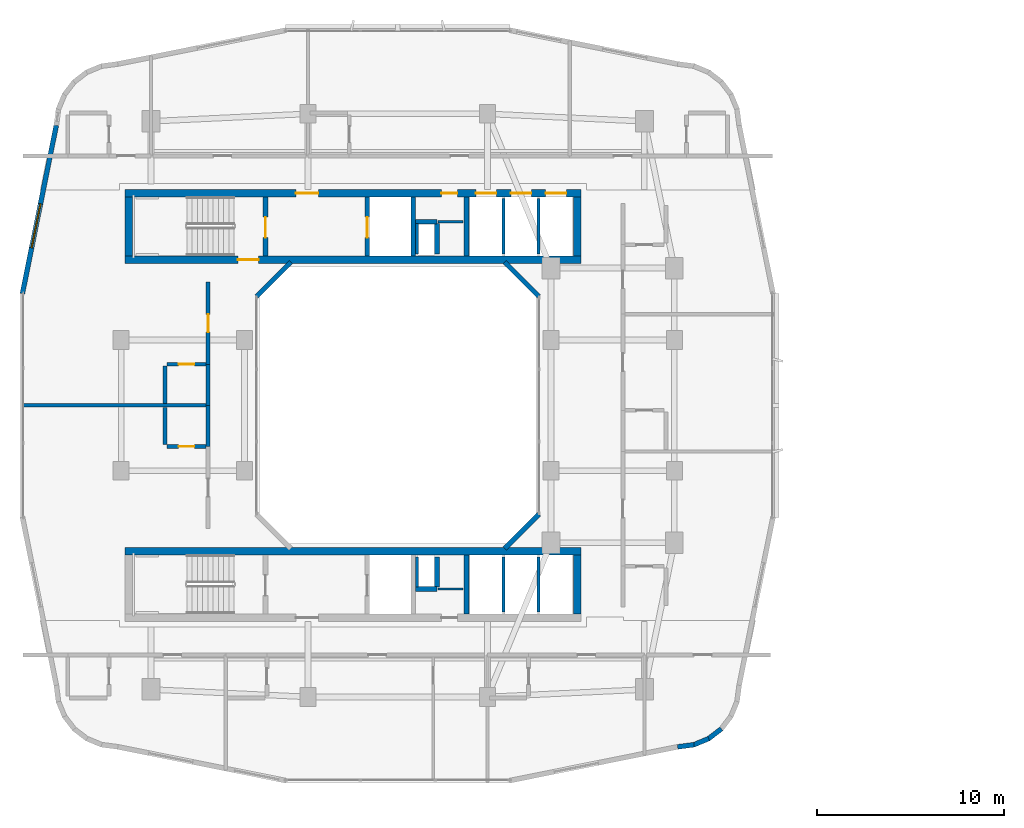
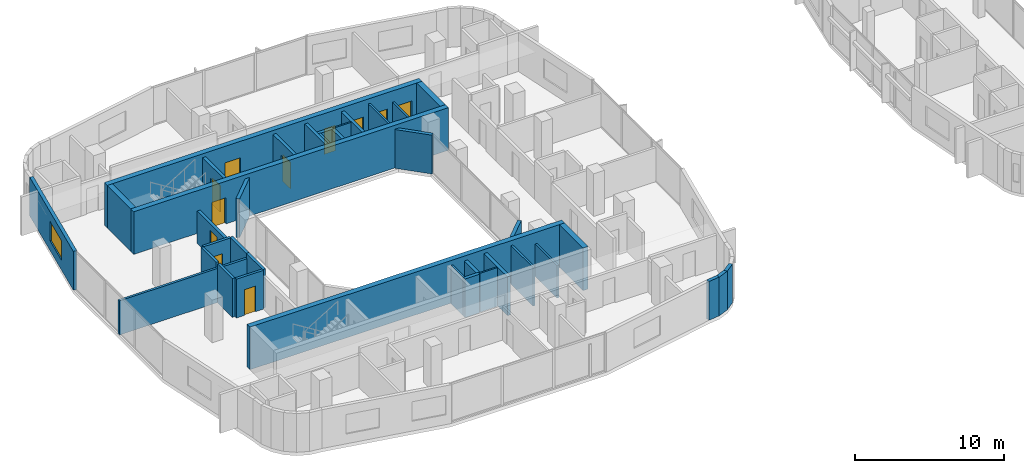
# One storey, part 13 of 26: 38 walls, 11 doors, 1 window, 12 openings.
"""IFC4 building model written with IfcOpenShell, lengths in metres."""

from ifc_helpers import new_model, si_unit, derived_unit, direction, frame, frame_2d, origin, place, context, subcontext, project, spatial, rectangle, extrude, material, layer, layer_set, type_object, element, fill, save


model = new_model("IFC4")

# Units and contexts
model_context = context("Model", 3, precision=1e-05, world=origin(), true_north=direction((0.0, 1.0)))
body_context = subcontext(model_context, "Body", "Model", "MODEL_VIEW")
ifc_project = project(units=[si_unit("LENGTHUNIT", "METRE"), si_unit("AREAUNIT", "SQUARE_METRE"), si_unit("VOLUMEUNIT", "CUBIC_METRE"), si_unit("PLANEANGLEUNIT", "RADIAN"), si_unit("MASSUNIT", "GRAM", prefix="KILO"), derived_unit("THERMALTRANSMITTANCEUNIT", [(si_unit("POWERUNIT", "WATT"), 1), (si_unit("LENGTHUNIT", "METRE"), -2), (si_unit("THERMODYNAMICTEMPERATUREUNIT", "KELVIN"), -1)])], contexts=[model_context])

# Site, building, storey
site_placement = place(None, origin())
site = spatial("IfcSite", under=ifc_project, at=site_placement, CompositionType="ELEMENT")
building_placement = place(site_placement, origin())
building = spatial("IfcBuilding", under=site, at=building_placement, Name="Kivonza Crest Hotel", CompositionType="ELEMENT")
storey_placement = place(building_placement, frame((0.0, 0.0, 116.0)))
storey = spatial("IfcBuildingStorey", under=building, at=storey_placement, Name="L31", CompositionType="ELEMENT", Elevation=116.0)

# Walls
ifc_material_1 = material(Name="High-density acoustic masonry inter-tenancy wall", Category="masonry")
ifc_layer_1 = layer(ifc_material_1, 0.179931640625)
ifc_layer_set_1 = layer_set([ifc_layer_1], Name="High-density acoustic masonry inter-tenancy wall")
wall_type_1 = type_object("IfcWallType", Name="WL-ACOU-180", PredefinedType="SOLIDWALL", material=ifc_layer_set_1)
wall_1_placement = place(storey_placement, frame((0.860107421875, 25.0, 0.0), z_axis=(0.0, 0.0, 1.0), x_axis=(1.0, 0.0, 0.0)))
element("IfcWall", 1, at=wall_1_placement, inside=storey, type_object=wall_type_1, Name="L31 interior partition WA-L31-T1W-DIV1", PredefinedType="SOLIDWALL", context=body_context, shape_type="SweptSolid", body=[
    extrude(rectangle(XDim=9.989990234375, YDim=0.179931640625, at=frame_2d((4.9951171875, 0.0))), origin(), (0.0, 0.0, 1.0), 2.794921875),
])
ifc_material_2 = material(Name="Autoclaved aerated concrete blockwork", Category="masonry")
ifc_layer_2 = layer(ifc_material_2, 0.219970703125)
ifc_layer_set_2 = layer_set([ifc_layer_2], Name="Autoclaved aerated concrete blockwork")
wall_type_2 = type_object("IfcWallType", Name="WL-ACOU-220", PredefinedType="SOLIDWALL", material=ifc_layer_set_2)
for number, where, z_axis, x_axis, name in (
    (2, (10.85009765625, 22.800048828125, 0.0), (0.0, 0.0, 1.0), (0.0, 1.0, 0.0), "L31 interior partition WA-L31-W07-BCORR"),
    (3, (10.85009765625, 25.0, 0.0), (0.0, 0.0, 1.0), (0.0, 1.0, 0.0), "L31 interior partition WA-L31-W08-BCORR"),
):
    element("IfcWall", number, at=place(storey_placement, frame(where, z_axis=z_axis, x_axis=x_axis)), inside=storey, type_object=wall_type_2, Name=name, PredefinedType="SOLIDWALL", context=body_context, shape_type="SweptSolid", body=[
        extrude(rectangle(XDim=2.199951171875, YDim=0.219970703125, at=frame_2d((1.10009765625, 0.0))), origin(), (0.0, 0.0, 1.0), 3.179931640625),
    ])

# Wall, opening, door
wall_2_placement = place(storey_placement, frame((10.85009765625, 27.199951171875, 0.0), z_axis=(0.0, 0.0, 1.0), x_axis=(0.0, 1.0, 0.0)))
wall_2 = element("IfcWall", 4, at=wall_2_placement, inside=storey, type_object=wall_type_2, Name="L31 interior partition WA-L31-W08-MCORR", PredefinedType="SOLIDWALL", context=body_context, shape_type="SweptSolid", body=[
    extrude(rectangle(XDim=4.400146484375, YDim=0.219970703125, at=frame_2d((2.2001953125, 0.0))), origin(), (0.0, 0.0, 1.0), 2.655029296875),
])
opening_1_placement = place(wall_2_placement, frame((1.72509765625, 0.0, 0.0)))
opening_1 = element("IfcOpeningElement", 5, at=opening_1_placement, cuts=wall_2, Name="Opening DU-60", PredefinedType="OPENING", context=body_context, shape_type="SweptSolid", body=[
    extrude(rectangle(XDim=0.949951171875, YDim=2.10009765625, at=frame_2d((0.47509765625, 1.050048828125))), frame((0.0, 0.1201171875, 0.0), z_axis=(0.0, -1.0, 0.0), x_axis=(1.0, 0.0, 0.0)), (0.0, 0.0, 1.0), 0.239990234375),
])
ifc_material_3 = material(Name="Hardwood timber oak", Category="wood")
door_type_1 = type_object("IfcDoorType", Name="DR-UNIT-950", OperationType="NOTDEFINED", PredefinedType="DOOR", material=ifc_material_3)
door_1_placement = place(opening_1_placement, origin())
door_1 = element("IfcDoor", 6, at=door_1_placement, inside=storey, type_object=door_type_1, Name="L31 W08 guest unit entrance fire door", OperationType="SINGLE_SWING_RIGHT", OverallHeight=2.10009765625, OverallWidth=0.949951171875, PredefinedType="DOOR", context=body_context, shape_type="SweptSolid", body=[
    extrude(rectangle(XDim=0.949951171875, YDim=2.10009765625, at=frame_2d((0.47509765625, 1.050048828125))), frame((0.0, 0.02490234375, 0.0), z_axis=(0.0, -1.0, 0.0), x_axis=(1.0, 0.0, 0.0)), (0.0, 0.0, 1.0), 0.050048828125),
])
fill(opening_1, door_1)

ifc_material_4 = material(Name="Concrete C50/60", Category="concrete")
ifc_layer_3 = layer(ifc_material_4, 0.39990234375)
ifc_layer_set_3 = layer_set([ifc_layer_3], Name="Concrete C50/60")
wall_type_3 = type_object("IfcWallType", Name="WL-CORE-400", PredefinedType="SHEAR", material=ifc_layer_set_3)
wall_3_placement = place(storey_placement, frame((6.39990234375, 32.800048828125, 0.0), z_axis=(0.0, 0.0, 1.0), x_axis=(1.0, 0.0, 0.0)))
wall_3 = element("IfcWall", 7, at=wall_3_placement, inside=storey, type_object=wall_type_3, Name="Core wall T1-N South L31", PredefinedType="SHEAR", context=body_context, shape_type="SweptSolid", body=[
    extrude(rectangle(XDim=24.400146484375, YDim=0.39990234375, at=frame_2d((12.2001953125, 0.0))), origin(), (0.0, 0.0, 1.0), 3.5),
])
opening_2_placement = place(wall_3_placement, frame((6.050048828125, 0.0, 0.0)))
opening_2 = element("IfcOpeningElement", 8, at=opening_2_placement, cuts=wall_3, Name="Opening DF-120", PredefinedType="OPENING", context=body_context, shape_type="SweptSolid", body=[
    extrude(rectangle(XDim=1.10009765625, YDim=2.14990234375, at=frame_2d((0.550048828125, 1.074951171875))), frame((0.0, 0.2099609375, 0.0), z_axis=(0.0, -1.0, 0.0), x_axis=(1.0, 0.0, 0.0)), (0.0, 0.0, 1.0), 0.419921875),
])
ifc_material_5 = material(Name="Galvanised steel", Category="steel")
door_type_2 = type_object("IfcDoorType", Name="DR-FD120-1100", OperationType="NOTDEFINED", PredefinedType="DOOR", material=ifc_material_5)
door_2_placement = place(opening_2_placement, origin())
door_2 = element("IfcDoor", 9, at=door_2_placement, inside=storey, type_object=door_type_2, Name="L31 West corridor stair access fire door", OperationType="SINGLE_SWING_LEFT", OverallHeight=2.14990234375, OverallWidth=1.10009765625, PredefinedType="DOOR", context=body_context, shape_type="SweptSolid", body=[
    extrude(rectangle(XDim=1.10009765625, YDim=2.14990234375, at=frame_2d((0.550048828125, 1.074951171875))), frame((0.0, 0.02490234375, 0.0), z_axis=(0.0, -1.0, 0.0), x_axis=(1.0, 0.0, 0.0)), (0.0, 0.0, 1.0), 0.050048828125),
])
fill(opening_2, door_2)

# Wall, openings, doors
wall_4_placement = place(storey_placement, frame((6.39990234375, 36.360107421875, 0.0), z_axis=(0.0, 0.0, 1.0), x_axis=(1.0, 0.0, 0.0)))
wall_4 = element("IfcWall", 10, at=wall_4_placement, inside=storey, type_object=wall_type_3, Name="Core wall T1-N North L31", PredefinedType="SHEAR", context=body_context, shape_type="SweptSolid", body=[
    extrude(rectangle(XDim=24.400146484375, YDim=0.39990234375, at=frame_2d((12.2001953125, 0.0))), origin(), (0.0, 0.0, 1.0), 3.5),
])
opening_3_placement = place(wall_4_placement, frame((9.14990234375, 0.0, 0.0)))
opening_3 = element("IfcOpeningElement", 11, at=opening_3_placement, cuts=wall_4, Name="Opening DF-60", PredefinedType="OPENING", context=body_context, shape_type="SweptSolid", body=[
    extrude(rectangle(XDim=1.199951171875, YDim=2.14990234375, at=frame_2d((0.60009765625, 1.074951171875))), frame((0.0, 0.2099609375, 0.0), z_axis=(0.0, -1.0, 0.0), x_axis=(1.0, 0.0, 0.0)), (0.0, 0.0, 1.0), 0.419921875),
])
opening_4_placement = place(wall_4_placement, frame((16.93994140625, 0.0, 0.0)))
opening_4 = element("IfcOpeningElement", 12, at=opening_4_placement, cuts=wall_4, Name="Opening DF-60R", PredefinedType="OPENING", context=body_context, shape_type="SweptSolid", body=[
    extrude(rectangle(XDim=0.85009765625, YDim=2.10009765625, at=frame_2d((0.425048828125, 1.050048828125))), frame((0.0, 0.2099609375, 0.0), z_axis=(0.0, -1.0, 0.0), x_axis=(1.0, 0.0, 0.0)), (0.0, 0.0, 1.0), 0.419921875),
])
opening_5_placement = place(wall_4_placement, frame((18.782958984375, 0.0, 0.0)))
opening_5 = element("IfcOpeningElement", 13, at=opening_5_placement, cuts=wall_4, Name="Opening LD-120", PredefinedType="OPENING", context=body_context, shape_type="SweptSolid", body=[
    extrude(rectangle(XDim=1.10009765625, YDim=2.14990234375, at=frame_2d((0.550048828125, 1.074951171875))), frame((0.0, 0.2099609375, 0.0), z_axis=(0.0, -1.0, 0.0), x_axis=(1.0, 0.0, 0.0)), (0.0, 0.0, 1.0), 0.419921875),
])
opening_6_placement = place(wall_4_placement, frame((20.64990234375, 0.0, 0.0)))
opening_6 = element("IfcOpeningElement", 14, at=opening_6_placement, cuts=wall_4, Name="Opening LD-120", PredefinedType="OPENING", context=body_context, shape_type="SweptSolid", body=[
    extrude(rectangle(XDim=1.10009765625, YDim=2.14990234375, at=frame_2d((0.550048828125, 1.074951171875))), frame((0.0, 0.2099609375, 0.0), z_axis=(0.0, -1.0, 0.0), x_axis=(1.0, 0.0, 0.0)), (0.0, 0.0, 1.0), 0.419921875),
])
opening_7_placement = place(wall_4_placement, frame((22.51708984375, 0.0, 0.0)))
opening_7 = element("IfcOpeningElement", 15, at=opening_7_placement, cuts=wall_4, Name="Opening LD-120", PredefinedType="OPENING", context=body_context, shape_type="SweptSolid", body=[
    extrude(rectangle(XDim=1.10009765625, YDim=2.14990234375, at=frame_2d((0.550048828125, 1.074951171875))), frame((0.0, 0.2099609375, 0.0), z_axis=(0.0, -1.0, 0.0), x_axis=(1.0, 0.0, 0.0)), (0.0, 0.0, 1.0), 0.419921875),
])
door_type_3 = type_object("IfcDoorType", Name="DR-FD60-1200", OperationType="NOTDEFINED", PredefinedType="DOOR", material=ifc_material_3)
door_3_placement = place(opening_3_placement, origin())
door_3 = element("IfcDoor", 16, at=door_3_placement, inside=storey, type_object=door_type_3, Name="L31 T1-N firefighting lobby fire door", OperationType="SINGLE_SWING_RIGHT", OverallHeight=2.14990234375, OverallWidth=1.199951171875, PredefinedType="DOOR", context=body_context, shape_type="SweptSolid", body=[
    extrude(rectangle(XDim=1.199951171875, YDim=2.14990234375, at=frame_2d((0.60009765625, 1.074951171875))), frame((0.0, 0.02490234375, 0.0), z_axis=(0.0, -1.0, 0.0), x_axis=(1.0, 0.0, 0.0)), (0.0, 0.0, 1.0), 0.050048828125),
])
fill(opening_3, door_3)
door_type_4 = type_object("IfcDoorType", Name="DR-FD60-850", OperationType="NOTDEFINED", PredefinedType="DOOR", material=ifc_material_3)
door_4_placement = place(opening_4_placement, origin())
door_4 = element("IfcDoor", 17, at=door_4_placement, inside=storey, type_object=door_type_4, Name="L31 T1-N core room door", OperationType="SINGLE_SWING_RIGHT", OverallHeight=2.10009765625, OverallWidth=0.85009765625, PredefinedType="DOOR", context=body_context, shape_type="SweptSolid", body=[
    extrude(rectangle(XDim=0.85009765625, YDim=2.10009765625, at=frame_2d((0.425048828125, 1.050048828125))), frame((0.0, 0.02490234375, 0.0), z_axis=(0.0, -1.0, 0.0), x_axis=(1.0, 0.0, 0.0)), (0.0, 0.0, 1.0), 0.050048828125),
])
fill(opening_4, door_4)
ifc_material_6 = material(Name="Stainless steel", Category="steel")
door_type_5 = type_object("IfcDoorType", Name="DR-LD120-1100", OperationType="NOTDEFINED", PredefinedType="DOOR", material=ifc_material_6)
door_5_placement = place(opening_5_placement, origin())
door_5 = element("IfcDoor", 18, at=door_5_placement, inside=storey, type_object=door_type_5, Name="L31 PL-T1-L1 passenger lift sliding landing door", OperationType="DOUBLE_DOOR_SLIDING", OverallHeight=2.14990234375, OverallWidth=1.10009765625, PredefinedType="DOOR", context=body_context, shape_type="SweptSolid", body=[
    extrude(rectangle(XDim=1.10009765625, YDim=2.14990234375, at=frame_2d((0.550048828125, 1.074951171875))), frame((0.0, 0.02490234375, 0.0), z_axis=(0.0, -1.0, 0.0), x_axis=(1.0, 0.0, 0.0)), (0.0, 0.0, 1.0), 0.050048828125),
])
fill(opening_5, door_5)
door_6_placement = place(opening_6_placement, origin())
door_6 = element("IfcDoor", 19, at=door_6_placement, inside=storey, type_object=door_type_5, Name="L31 PL-T1-L2 passenger lift sliding landing door", OperationType="DOUBLE_DOOR_SLIDING", OverallHeight=2.14990234375, OverallWidth=1.10009765625, PredefinedType="DOOR", context=body_context, shape_type="SweptSolid", body=[
    extrude(rectangle(XDim=1.10009765625, YDim=2.14990234375, at=frame_2d((0.550048828125, 1.074951171875))), frame((0.0, 0.02490234375, 0.0), z_axis=(0.0, -1.0, 0.0), x_axis=(1.0, 0.0, 0.0)), (0.0, 0.0, 1.0), 0.050048828125),
])
fill(opening_6, door_6)
door_7_placement = place(opening_7_placement, origin())
door_7 = element("IfcDoor", 20, at=door_7_placement, inside=storey, type_object=door_type_5, Name="L31 PL-T1-L3 passenger lift sliding landing door", OperationType="DOUBLE_DOOR_SLIDING", OverallHeight=2.14990234375, OverallWidth=1.10009765625, PredefinedType="DOOR", context=body_context, shape_type="SweptSolid", body=[
    extrude(rectangle(XDim=1.10009765625, YDim=2.14990234375, at=frame_2d((0.550048828125, 1.074951171875))), frame((0.0, 0.02490234375, 0.0), z_axis=(0.0, -1.0, 0.0), x_axis=(1.0, 0.0, 0.0)), (0.0, 0.0, 1.0), 0.050048828125),
])
fill(opening_7, door_7)

# Walls
for number, where, z_axis, x_axis, name in (
    (21, (6.60009765625, 33.0, 0.0), (0.0, 0.0, 1.0), (0.0, 1.0, 0.0), "Core wall T1-N West L31"),
    (22, (30.60009765625, 33.0, 0.0), (0.0, 0.0, 1.0), (0.0, 1.0, 0.0), "Core wall T1-N East L31"),
):
    element("IfcWall", number, at=place(storey_placement, frame(where, z_axis=z_axis, x_axis=x_axis)), inside=storey, type_object=wall_type_3, Name=name, PredefinedType="SHEAR", context=body_context, shape_type="SweptSolid", body=[
        extrude(rectangle(XDim=3.159912109375, YDim=0.39990234375, at=frame_2d((1.580078125, 0.0))), origin(), (0.0, 0.0, 1.0), 3.5),
    ])
wall_5_placement = place(storey_placement, frame((6.39990234375, 17.199951171875, 0.0), z_axis=(0.0, 0.0, 1.0), x_axis=(1.0, 0.0, 0.0)))
element("IfcWall", 23, at=wall_5_placement, inside=storey, type_object=wall_type_3, Name="Core wall T1-S North L31", PredefinedType="SHEAR", context=body_context, shape_type="SweptSolid", body=[
    extrude(rectangle(XDim=24.400146484375, YDim=0.39990234375, at=frame_2d((12.2001953125, 0.0))), origin(), (0.0, 0.0, 1.0), 3.5),
])
wall_6_placement = place(storey_placement, frame((30.60009765625, 13.840087890625, 0.0), z_axis=(0.0, 0.0, 1.0), x_axis=(0.0, 1.0, 0.0)))
element("IfcWall", 24, at=wall_6_placement, inside=storey, type_object=wall_type_3, Name="Core wall T1-S East L31", PredefinedType="SHEAR", context=body_context, shape_type="SweptSolid", body=[
    extrude(rectangle(XDim=3.159912109375, YDim=0.39990234375, at=frame_2d((1.580078125, 0.0))), origin(), (0.0, 0.0, 1.0), 3.5),
])
ifc_material_7 = material(Name="Precast concrete C40/50", Category="concrete")
ifc_layer_4 = layer(ifc_material_7, 0.260009765625)
ifc_layer_set_4 = layer_set([ifc_layer_4], Name="Precast concrete C40/50")
wall_type_4 = type_object("IfcWallType", Name="WL-EXT-260", PredefinedType="STANDARD", material=ifc_layer_set_4)
wall_7_placement = place(storey_placement, frame((35.97509765625, 6.72802734375, 0.0), z_axis=(0.0, 0.0, 1.0), x_axis=(0.991388484223, 0.130953706898, 0.0)))
element("IfcWall", 25, at=wall_7_placement, inside=storey, type_object=wall_type_4, Name="L31 T1 exterior insulated wall 10", PredefinedType="STANDARD", context=body_context, shape_type="SweptSolid", body=[
    extrude(rectangle(XDim=0.885498046875, YDim=0.260009765625, at=frame_2d((0.44287109375, 0.0))), origin(), (0.0, 0.0, 1.0), 3.179931640625),
])
wall_8_placement = place(storey_placement, frame((36.806884765625, 6.825927734375, 0.0), z_axis=(0.0, 0.0, 1.0), x_axis=(0.923627776508, 0.383290660547, 0.0)))
element("IfcWall", 26, at=wall_8_placement, inside=storey, type_object=wall_type_4, Name="L31 T1 exterior insulated wall 11", PredefinedType="STANDARD", context=body_context, shape_type="SweptSolid", body=[
    extrude(rectangle(XDim=0.9033203125, YDim=0.260009765625, at=frame_2d((0.45166015625, 0.0))), origin(), (0.0, 0.0, 1.0), 3.179931640625),
])
wall_9_placement = place(storey_placement, frame((37.60107421875, 7.14404296875, 0.0), z_axis=(0.0, 0.0, 1.0), x_axis=(0.793458244748, 0.608624690463, 0.0)))
element("IfcWall", 27, at=wall_9_placement, inside=storey, type_object=wall_type_4, Name="L31 T1 exterior insulated wall 12", PredefinedType="STANDARD", context=body_context, shape_type="SweptSolid", body=[
    extrude(rectangle(XDim=0.902099609375, YDim=0.260009765625, at=frame_2d((0.451171875, 0.0))), origin(), (0.0, 0.0, 1.0), 3.179931640625),
])

# Wall, opening, window
wall_10_placement = place(storey_placement, frame((2.72900390625, 39.98193359375, 0.0), z_axis=(0.0, 0.0, 1.0), x_axis=(-0.197435082048, -0.980315963543, 0.0)))
wall_10 = element("IfcWall", 28, at=wall_10_placement, inside=storey, type_object=wall_type_4, Name="L31 T1 exterior insulated wall 34", PredefinedType="STANDARD", context=body_context, shape_type="SweptSolid", body=[
    extrude(rectangle(XDim=9.1826171875, YDim=0.260009765625, at=frame_2d((4.59130859375, 0.0))), origin(), (0.0, 0.0, 1.0), 3.179931640625),
])
opening_8_placement = place(wall_10_placement, frame((4.285888671875, 0.0, 0.800048828125)))
opening_8 = element("IfcOpeningElement", 29, at=opening_8_placement, cuts=wall_10, Name="Opening WN-05", PredefinedType="OPENING", context=body_context, shape_type="SweptSolid", body=[
    extrude(rectangle(XDim=2.39990234375, YDim=1.60009765625, at=frame_2d((1.199951171875, 0.800048828125))), frame((0.0, 0.14013671875, 0.0), z_axis=(0.0, -1.0, 0.0), x_axis=(1.0, 0.0, 0.0)), (0.0, 0.0, 1.0), 0.280029296875),
])
ifc_material_8 = material(Name="Thermally broken bronze aluminium and low-E double glazing", Category="aluminium")
window_type = type_object("IfcWindowType", Name="WN-240x160", PartitioningType="TRIPLE_PANEL_VERTICAL", PredefinedType="WINDOW", material=ifc_material_8)
window_placement = place(opening_8_placement, origin())
window = element("IfcWindow", 30, at=window_placement, inside=storey, type_object=window_type, Name="L31 T1 facade window 34", OverallHeight=1.60009765625, OverallWidth=2.39990234375, PartitioningType="SINGLE_PANEL", PredefinedType="WINDOW", context=body_context, shape_type="SweptSolid", body=[
    extrude(rectangle(XDim=2.39990234375, YDim=1.60009765625, at=frame_2d((1.199951171875, 0.800048828125))), frame((0.0, 0.030029296875, 0.0), z_axis=(0.0, -1.0, 0.0), x_axis=(1.0, 0.0, 0.0)), (0.0, 0.0, 1.0), 0.06005859375),
])
fill(opening_8, window)

# Walls
for number, where, z_axis, x_axis, name in (
    (31, (26.721923828125, 17.337890625, 0.0), (0.0, 0.0, 1.0), (0.707059717605, 0.707153841636, 0.0), "L31 T1 light-well exterior wall 2"),
    (32, (28.555908203125, 30.827880859375, 0.0), (0.0, 0.0, 1.0), (-0.707059717605, 0.707153841636, 0.0), "L31 T1 light-well exterior wall 4"),
    (33, (15.278076171875, 32.662109375, 0.0), (0.0, 0.0, 1.0), (-0.707059717605, -0.707153841636, 0.0), "L31 T1 light-well exterior wall 6"),
):
    element("IfcWall", number, at=place(storey_placement, frame(where, z_axis=z_axis, x_axis=x_axis)), inside=storey, type_object=wall_type_4, Name=name, PredefinedType="STANDARD", context=body_context, shape_type="SweptSolid", body=[
        extrude(rectangle(XDim=2.59375, YDim=0.260009765625, at=frame_2d((1.296875, 0.0))), origin(), (0.0, 0.0, 1.0), 3.179931640625),
    ])
ifc_material_9 = material(Name="Concrete blockwork fire-compartment wall", Category="masonry")
ifc_layer_5 = layer(ifc_material_9, 0.25)
ifc_layer_set_5 = layer_set([ifc_layer_5], Name="Concrete blockwork fire-compartment wall")
wall_type_5 = type_object("IfcWallType", Name="WL-FIRE-250", PredefinedType="SOLIDWALL", material=ifc_layer_set_5)
wall_11_placement = place(storey_placement, frame((23.10009765625, 33.10009765625, 0.0), z_axis=(0.0, 0.0, 1.0), x_axis=(0.0, 1.0, 0.0)))
element("IfcWall", 34, at=wall_11_placement, inside=storey, type_object=wall_type_5, Name="L31 interior partition WA-L31-T1-N-MEPR-E", PredefinedType="SOLIDWALL", context=body_context, shape_type="SweptSolid", body=[
    extrude(rectangle(XDim=1.619873046875, YDim=0.25, at=frame_2d((0.81005859375, 0.0))), origin(), (0.0, 0.0, 1.0), 3.179931640625),
])
wall_12_placement = place(storey_placement, frame((21.949951171875, 34.820068359375, 0.0), z_axis=(0.0, 0.0, 1.0), x_axis=(1.0, 0.0, 0.0)))
element("IfcWall", 35, at=wall_12_placement, inside=storey, type_object=wall_type_5, Name="L31 interior partition WA-L31-T1-N-MEPR-H", PredefinedType="SOLIDWALL", context=body_context, shape_type="SweptSolid", body=[
    extrude(rectangle(XDim=1.150146484375, YDim=0.25, at=frame_2d((0.5751953125, 0.0))), origin(), (0.0, 0.0, 1.0), 3.179931640625),
])
wall_13_placement = place(storey_placement, frame((23.10009765625, 15.280029296875, 0.0), z_axis=(0.0, 0.0, 1.0), x_axis=(0.0, 1.0, 0.0)))
element("IfcWall", 36, at=wall_13_placement, inside=storey, type_object=wall_type_5, Name="L31 interior partition WA-L31-T1-S-MEPR-E", PredefinedType="SOLIDWALL", context=body_context, shape_type="SweptSolid", body=[
    extrude(rectangle(XDim=1.619873046875, YDim=0.25, at=frame_2d((0.81005859375, 0.0))), origin(), (0.0, 0.0, 1.0), 3.179931640625),
])
wall_14_placement = place(storey_placement, frame((21.949951171875, 15.179931640625, 0.0), z_axis=(0.0, 0.0, 1.0), x_axis=(1.0, 0.0, 0.0)))
element("IfcWall", 37, at=wall_14_placement, inside=storey, type_object=wall_type_5, Name="L31 interior partition WA-L31-T1-S-MEPR-H", PredefinedType="SOLIDWALL", context=body_context, shape_type="SweptSolid", body=[
    extrude(rectangle(XDim=1.150146484375, YDim=0.25, at=frame_2d((0.5751953125, 0.0))), origin(), (0.0, 0.0, 1.0), 3.179931640625),
])
ifc_material_10 = material(Name="Metal-stud gypsum board partition", Category="gypsum")
ifc_layer_6 = layer(ifc_material_10, 0.125)
ifc_layer_set_6 = layer_set([ifc_layer_6], Name="Metal-stud gypsum board partition")
wall_type_6 = type_object("IfcWallType", Name="WL-PART-125", PredefinedType="PARTITIONING", material=ifc_layer_set_6)
for number, where, z_axis, x_axis, name in (
    (38, (23.14990234375, 34.820068359375, 0.0), (0.0, 0.0, 1.0), (1.0, 0.0, 0.0), "L31 interior partition WP-L31-T1-N-SV2H"),
    (39, (23.14990234375, 15.179931640625, 0.0), (0.0, 0.0, 1.0), (1.0, 0.0, 0.0), "L31 interior partition WP-L31-T1-S-SV2H"),
):
    element("IfcWall", number, at=place(storey_placement, frame(where, z_axis=z_axis, x_axis=x_axis)), inside=storey, type_object=wall_type_6, Name=name, PredefinedType="PARTITIONING", context=body_context, shape_type="SweptSolid", body=[
        extrude(rectangle(XDim=1.35009765625, YDim=0.125, at=frame_2d((0.675048828125, 0.0))), origin(), (0.0, 0.0, 1.0), 3.179931640625),
    ])
ifc_material_11 = material(Name="Twin-stud acoustic gypsum board partition", Category="gypsum")
ifc_layer_7 = layer(ifc_material_11, 0.14990234375)
ifc_layer_set_7 = layer_set([ifc_layer_7], Name="Twin-stud acoustic gypsum board partition")
wall_type_7 = type_object("IfcWallType", Name="WL-PART-150", PredefinedType="PARTITIONING", material=ifc_layer_set_7)
wall_15_placement = place(storey_placement, frame((22.030029296875, 33.10009765625, 0.0), z_axis=(0.0, 0.0, 1.0), x_axis=(0.0, 1.0, 0.0)))
element("IfcWall", 40, at=wall_15_placement, inside=storey, type_object=wall_type_7, Name="L31 interior partition WA-L31-T1-N-MEPR-W", PredefinedType="PARTITIONING", context=body_context, shape_type="SweptSolid", body=[
    extrude(rectangle(XDim=1.619873046875, YDim=0.14990234375, at=frame_2d((0.81005859375, 0.0))), origin(), (0.0, 0.0, 1.0), 3.179931640625),
])
wall_16_placement = place(storey_placement, frame((26.6669921875, 33.10009765625, 0.0), z_axis=(0.0, 0.0, 1.0), x_axis=(0.0, 1.0, 0.0)))
element("IfcWall", 41, at=wall_16_placement, inside=storey, type_object=wall_type_7, Name="L31 interior partition WP-L31-T1-N-BSH-1", PredefinedType="PARTITIONING", context=body_context, shape_type="SweptSolid", body=[
    extrude(rectangle(XDim=2.9599609375, YDim=0.14990234375, at=frame_2d((1.47998046875, 0.0))), origin(), (0.0, 0.0, 1.0), 3.179931640625),
])
wall_17_placement = place(storey_placement, frame((28.532958984375, 33.10009765625, 0.0), z_axis=(0.0, 0.0, 1.0), x_axis=(0.0, 1.0, 0.0)))
element("IfcWall", 42, at=wall_17_placement, inside=storey, type_object=wall_type_7, Name="L31 interior partition WP-L31-T1-N-BSH-2", PredefinedType="PARTITIONING", context=body_context, shape_type="SweptSolid", body=[
    extrude(rectangle(XDim=2.9599609375, YDim=0.14990234375, at=frame_2d((1.47998046875, 0.0))), origin(), (0.0, 0.0, 1.0), 2.655029296875),
])
wall_18_placement = place(storey_placement, frame((22.030029296875, 15.280029296875, 0.0), z_axis=(0.0, 0.0, 1.0), x_axis=(0.0, 1.0, 0.0)))
element("IfcWall", 43, at=wall_18_placement, inside=storey, type_object=wall_type_7, Name="L31 interior partition WA-L31-T1-S-MEPR-W", PredefinedType="PARTITIONING", context=body_context, shape_type="SweptSolid", body=[
    extrude(rectangle(XDim=1.619873046875, YDim=0.14990234375, at=frame_2d((0.81005859375, 0.0))), origin(), (0.0, 0.0, 1.0), 3.179931640625),
])
wall_19_placement = place(storey_placement, frame((26.6669921875, 13.93994140625, 0.0), z_axis=(0.0, 0.0, 1.0), x_axis=(0.0, 1.0, 0.0)))
element("IfcWall", 44, at=wall_19_placement, inside=storey, type_object=wall_type_7, Name="L31 interior partition WP-L31-T1-S-BSH-1", PredefinedType="PARTITIONING", context=body_context, shape_type="SweptSolid", body=[
    extrude(rectangle(XDim=2.9599609375, YDim=0.14990234375, at=frame_2d((1.47998046875, 0.0))), origin(), (0.0, 0.0, 1.0), 3.179931640625),
])
wall_20_placement = place(storey_placement, frame((28.532958984375, 13.93994140625, 0.0), z_axis=(0.0, 0.0, 1.0), x_axis=(0.0, 1.0, 0.0)))
element("IfcWall", 45, at=wall_20_placement, inside=storey, type_object=wall_type_7, Name="L31 interior partition WP-L31-T1-S-BSH-2", PredefinedType="PARTITIONING", context=body_context, shape_type="SweptSolid", body=[
    extrude(rectangle(XDim=2.9599609375, YDim=0.14990234375, at=frame_2d((1.47998046875, 0.0))), origin(), (0.0, 0.0, 1.0), 2.655029296875),
])

# Wall, opening, door
ifc_material_12 = material(Name="Moisture-resistant plumbing chase partition wall", Category="gypsum")
ifc_layer_8 = layer(ifc_material_12, 0.199951171875)
ifc_layer_set_8 = layer_set([ifc_layer_8], Name="Moisture-resistant plumbing chase partition wall")
wall_type_8 = type_object("IfcWallType", Name="WL-PLUMB-200", PredefinedType="PLUMBINGWALL", material=ifc_layer_set_8)
wall_21_placement = place(storey_placement, frame((8.64990234375, 22.800048828125, 0.0), z_axis=(0.0, 0.0, 1.0), x_axis=(1.0, 0.0, 0.0)))
wall_21 = element("IfcWall", 46, at=wall_21_placement, inside=storey, type_object=wall_type_8, Name="L31 interior partition WW-L31-W07-BH", PredefinedType="PLUMBINGWALL", context=body_context, shape_type="SweptSolid", body=[
    extrude(rectangle(XDim=2.10009765625, YDim=0.199951171875, at=frame_2d((1.050048828125, 0.0))), origin(), (0.0, 0.0, 1.0), 3.179931640625),
])
opening_9_placement = place(wall_21_placement, frame((0.625, 0.0, 0.0)))
opening_9 = element("IfcOpeningElement", 47, at=opening_9_placement, cuts=wall_21, Name="Opening DI-85", PredefinedType="OPENING", context=body_context, shape_type="SweptSolid", body=[
    extrude(rectangle(XDim=0.85009765625, YDim=2.10009765625, at=frame_2d((0.425048828125, 1.050048828125))), frame((0.0, 0.10986328125, 0.0), z_axis=(0.0, -1.0, 0.0), x_axis=(1.0, 0.0, 0.0)), (0.0, 0.0, 1.0), 0.219970703125),
])
door_type_6 = type_object("IfcDoorType", Name="DR-INT-850", OperationType="NOTDEFINED", PredefinedType="DOOR", material=ifc_material_3)
door_8_placement = place(opening_9_placement, frame((0.85009765625, 0.0, 0.0), z_axis=(0.0, 0.0, 1.0), x_axis=(-1.0, 0.0, 0.0)))
door_8 = element("IfcDoor", 48, at=door_8_placement, inside=storey, type_object=door_type_6, Name="L31 W07 en-suite bathroom door", OperationType="SINGLE_SWING_RIGHT", OverallHeight=2.10009765625, OverallWidth=0.85009765625, PredefinedType="DOOR", context=body_context, shape_type="SweptSolid", body=[
    extrude(rectangle(XDim=0.85009765625, YDim=2.10009765625, at=frame_2d((0.425048828125, 1.050048828125))), frame((0.0, 0.02490234375, 0.0), z_axis=(0.0, -1.0, 0.0), x_axis=(1.0, 0.0, 0.0)), (0.0, 0.0, 1.0), 0.050048828125),
])
fill(opening_9, door_8)

# Wall
wall_22_placement = place(storey_placement, frame((8.550048828125, 22.89990234375, 0.0), z_axis=(0.0, 0.0, 1.0), x_axis=(0.0, 1.0, 0.0)))
element("IfcWall", 49, at=wall_22_placement, inside=storey, type_object=wall_type_8, Name="L31 interior partition WW-L31-W07-BV", PredefinedType="PLUMBINGWALL", context=body_context, shape_type="SweptSolid", body=[
    extrude(rectangle(XDim=2.0, YDim=0.199951171875, at=frame_2d((1.0, 0.0))), origin(), (0.0, 0.0, 1.0), 3.179931640625),
])

# Wall, opening, door
wall_23_placement = place(storey_placement, frame((8.64990234375, 27.199951171875, 0.0), z_axis=(0.0, 0.0, 1.0), x_axis=(1.0, 0.0, 0.0)))
wall_23 = element("IfcWall", 50, at=wall_23_placement, inside=storey, type_object=wall_type_8, Name="L31 interior partition WW-L31-W08-BH", PredefinedType="PLUMBINGWALL", context=body_context, shape_type="SweptSolid", body=[
    extrude(rectangle(XDim=2.10009765625, YDim=0.199951171875, at=frame_2d((1.050048828125, 0.0))), origin(), (0.0, 0.0, 1.0), 3.179931640625),
])
opening_10_placement = place(wall_23_placement, frame((0.625, 0.0, 0.0)))
opening_10 = element("IfcOpeningElement", 51, at=opening_10_placement, cuts=wall_23, Name="Opening DI-85", PredefinedType="OPENING", context=body_context, shape_type="SweptSolid", body=[
    extrude(rectangle(XDim=0.85009765625, YDim=2.10009765625, at=frame_2d((0.425048828125, 1.050048828125))), frame((0.0, 0.10986328125, 0.0), z_axis=(0.0, -1.0, 0.0), x_axis=(1.0, 0.0, 0.0)), (0.0, 0.0, 1.0), 0.219970703125),
])
door_9_placement = place(opening_10_placement, origin())
door_9 = element("IfcDoor", 52, at=door_9_placement, inside=storey, type_object=door_type_6, Name="L31 W08 en-suite bathroom door", OperationType="SINGLE_SWING_LEFT", OverallHeight=2.10009765625, OverallWidth=0.85009765625, PredefinedType="DOOR", context=body_context, shape_type="SweptSolid", body=[
    extrude(rectangle(XDim=0.85009765625, YDim=2.10009765625, at=frame_2d((0.425048828125, 1.050048828125))), frame((0.0, 0.02490234375, 0.0), z_axis=(0.0, -1.0, 0.0), x_axis=(1.0, 0.0, 0.0)), (0.0, 0.0, 1.0), 0.050048828125),
])
fill(opening_10, door_9)

# Wall
wall_24_placement = place(storey_placement, frame((8.550048828125, 25.10009765625, 0.0), z_axis=(0.0, 0.0, 1.0), x_axis=(0.0, 1.0, 0.0)))
element("IfcWall", 53, at=wall_24_placement, inside=storey, type_object=wall_type_8, Name="L31 interior partition WW-L31-W08-BV", PredefinedType="PLUMBINGWALL", context=body_context, shape_type="SweptSolid", body=[
    extrude(rectangle(XDim=2.0, YDim=0.199951171875, at=frame_2d((1.0, 0.0))), origin(), (0.0, 0.0, 1.0), 3.179931640625),
])

# Wall, opening, door
ifc_layer_9 = layer(ifc_material_4, 0.25)
ifc_layer_set_9 = layer_set([ifc_layer_9], Name="Concrete C50/60")
wall_type_9 = type_object("IfcWallType", Name="WL-SHAFT-250", PredefinedType="STANDARD", material=ifc_layer_set_9)
wall_25_placement = place(storey_placement, frame((13.925048828125, 33.0, 0.0), z_axis=(0.0, 0.0, 1.0), x_axis=(0.0, 1.0, 0.0)))
wall_25 = element("IfcWall", 54, at=wall_25_placement, inside=storey, type_object=wall_type_9, Name="Core shaft wall T1-N STAIR L31", PredefinedType="STANDARD", context=body_context, shape_type="SweptSolid", body=[
    extrude(rectangle(XDim=3.159912109375, YDim=0.25, at=frame_2d((1.580078125, 0.0))), origin(), (0.0, 0.0, 1.0), 3.179931640625),
])
opening_11_placement = place(wall_25_placement, frame((0.97998046875, 0.0, 0.0)))
opening_11 = element("IfcOpeningElement", 55, at=opening_11_placement, cuts=wall_25, Name="Opening DF-120", PredefinedType="OPENING", context=body_context, shape_type="SweptSolid", body=[
    extrude(rectangle(XDim=1.10009765625, YDim=2.14990234375, at=frame_2d((0.550048828125, 1.074951171875))), frame((0.0, 0.135009765625, 0.0), z_axis=(0.0, -1.0, 0.0), x_axis=(1.0, 0.0, 0.0)), (0.0, 0.0, 1.0), 0.27001953125),
])
door_10_placement = place(opening_11_placement, frame((1.10009765625, 0.0, 0.0), z_axis=(0.0, 0.0, 1.0), x_axis=(-1.0, 0.0, 0.0)))
door_10 = element("IfcDoor", 56, at=door_10_placement, inside=storey, type_object=door_type_2, Name="L31 T1-N stair fire door", OperationType="SINGLE_SWING_LEFT", OverallHeight=2.14990234375, OverallWidth=1.10009765625, PredefinedType="DOOR", context=body_context, shape_type="SweptSolid", body=[
    extrude(rectangle(XDim=1.10009765625, YDim=2.14990234375, at=frame_2d((0.550048828125, 1.074951171875))), frame((0.0, 0.02490234375, 0.0), z_axis=(0.0, -1.0, 0.0), x_axis=(1.0, 0.0, 0.0)), (0.0, 0.0, 1.0), 0.050048828125),
])
fill(opening_11, door_10)

wall_26_placement = place(storey_placement, frame((19.375, 33.0, 0.0), z_axis=(0.0, 0.0, 1.0), x_axis=(0.0, 1.0, 0.0)))
wall_26 = element("IfcWall", 57, at=wall_26_placement, inside=storey, type_object=wall_type_9, Name="Core shaft wall T1-N FFL-W L31", PredefinedType="STANDARD", context=body_context, shape_type="SweptSolid", body=[
    extrude(rectangle(XDim=3.159912109375, YDim=0.25, at=frame_2d((1.580078125, 0.0))), origin(), (0.0, 0.0, 1.0), 3.179931640625),
])
opening_12_placement = place(wall_26_placement, frame((0.97998046875, 0.0, 0.0)))
opening_12 = element("IfcOpeningElement", 58, at=opening_12_placement, cuts=wall_26, Name="Opening LD-120", PredefinedType="OPENING", context=body_context, shape_type="SweptSolid", body=[
    extrude(rectangle(XDim=1.10009765625, YDim=2.14990234375, at=frame_2d((0.550048828125, 1.074951171875))), frame((0.0, 0.135009765625, 0.0), z_axis=(0.0, -1.0, 0.0), x_axis=(1.0, 0.0, 0.0)), (0.0, 0.0, 1.0), 0.27001953125),
])
door_11_placement = place(opening_12_placement, origin())
door_11 = element("IfcDoor", 59, at=door_11_placement, inside=storey, type_object=door_type_5, Name="L31 FFL-T1-N firefighting lift sliding landing door", OperationType="DOUBLE_DOOR_SLIDING", OverallHeight=2.14990234375, OverallWidth=1.10009765625, PredefinedType="DOOR", context=body_context, shape_type="SweptSolid", body=[
    extrude(rectangle(XDim=1.10009765625, YDim=2.14990234375, at=frame_2d((0.550048828125, 1.074951171875))), frame((0.0, 0.02490234375, 0.0), z_axis=(0.0, -1.0, 0.0), x_axis=(1.0, 0.0, 0.0)), (0.0, 0.0, 1.0), 0.050048828125),
])
fill(opening_12, door_11)

# Walls
for number, where, z_axis, x_axis, name in (
    (60, (21.824951171875, 33.0, 0.0), (0.0, 0.0, 1.0), (0.0, 1.0, 0.0), "Core shaft wall T1-N FFL-E L31"),
    (61, (24.675048828125, 33.0, 0.0), (0.0, 0.0, 1.0), (0.0, 1.0, 0.0), "Core shaft wall T1-N BANK-W L31"),
    (62, (24.675048828125, 13.840087890625, 0.0), (0.0, 0.0, 1.0), (0.0, 1.0, 0.0), "Core shaft wall T1-S BANK-W L31"),
):
    element("IfcWall", number, at=place(storey_placement, frame(where, z_axis=z_axis, x_axis=x_axis)), inside=storey, type_object=wall_type_9, Name=name, PredefinedType="STANDARD", context=body_context, shape_type="SweptSolid", body=[
        extrude(rectangle(XDim=3.159912109375, YDim=0.25, at=frame_2d((1.580078125, 0.0))), origin(), (0.0, 0.0, 1.0), 3.179931640625),
    ])

save(model, "model.ifc")
